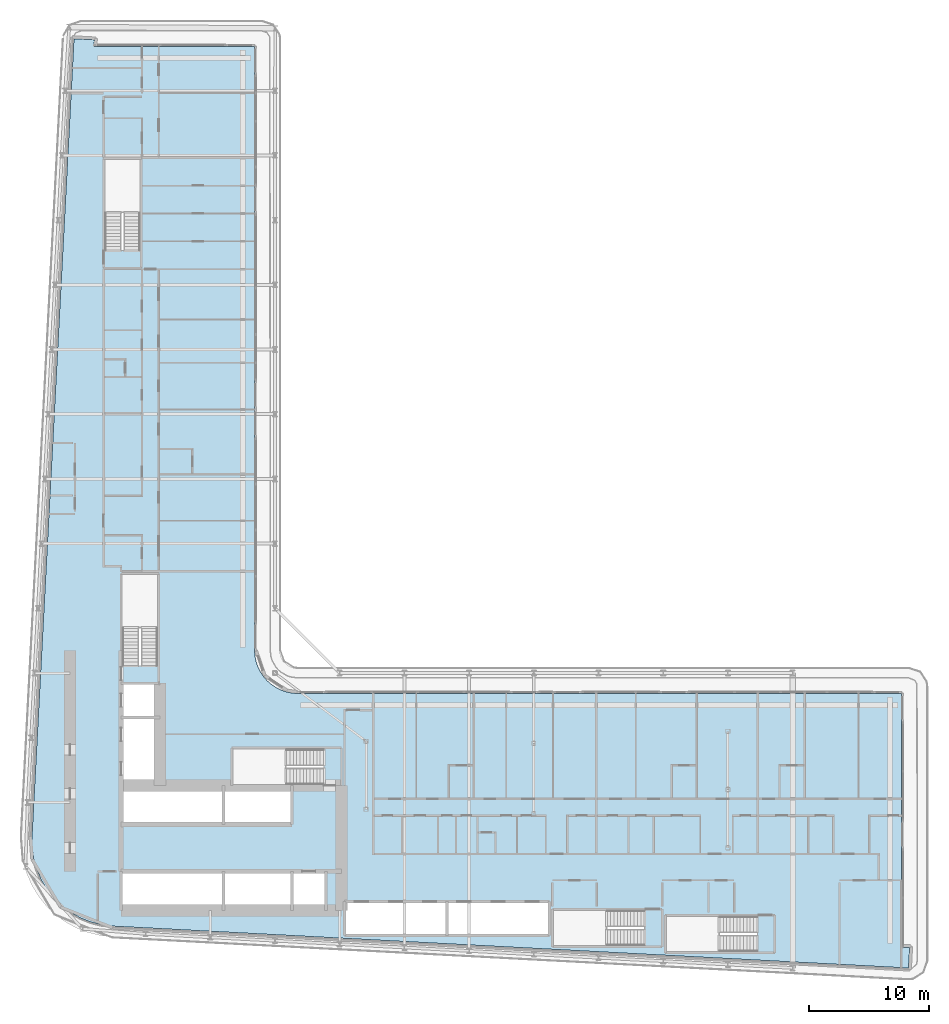
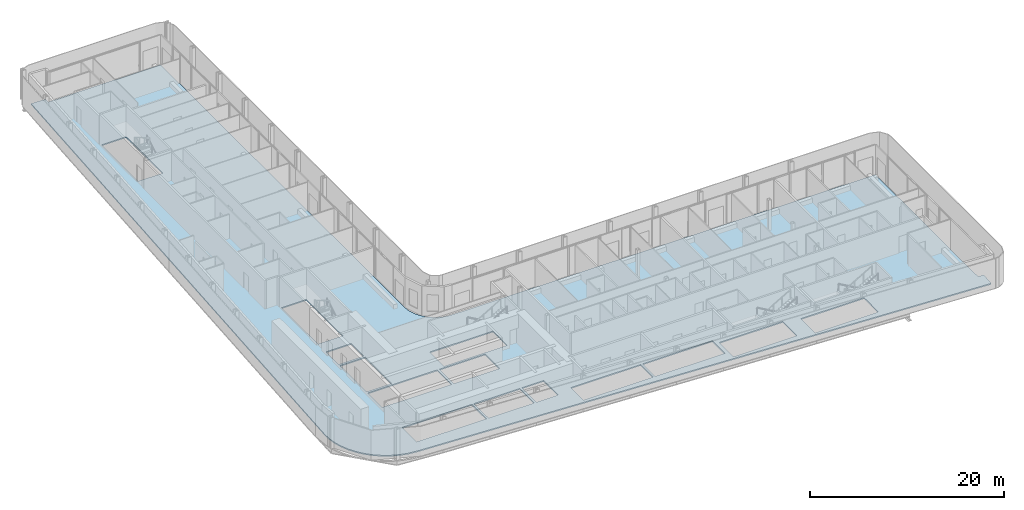
# One storey, part 11 of 29: 1 slab.
"""IFC4 building model written with IfcOpenShell, lengths in metres."""

import ifcopenshell
import ifcopenshell.guid

model = None  # the IFC model being written
_history = None  # IfcOwnerHistory: only IFC2X3 demands one
_inside = {}  # id of a spatial element -> (the spatial element, [elements in it])
_under = {}  # id of a project, library or spatial element -> (it, [spatial elements below it])
_declared = {}  # id of a project -> (the project, [libraries it declares])
_typed = {}  # id of a type object -> (the type object, [elements of that type])
_made_of = {}  # id of a material, layer set ... -> (it, [elements and type objects made of it])


def new_model(schema):
    """Start an empty IFC model of exactly this schema.

    Asked for "IFC4X3", IfcOpenShell would pick the latest addendum, in which some entities
    have other attributes; the version numbers below select the first issue.
    IFC2X3 requires an IfcOwnerHistory on every rooted entity: one is made here for all.
    """
    global model, _history
    if schema == "IFC4X3":
        model = ifcopenshell.file(schema_version=(4, 3, 0, 0))
    else:
        model = ifcopenshell.file(schema=schema)
    _inside.clear()
    _under.clear()
    _declared.clear()
    _typed.clear()
    _made_of.clear()
    _history = None
    if model.schema == "IFC2X3":
        org = make("IfcOrganization", Name="unknown")
        user = make(
            "IfcPersonAndOrganization",
            ThePerson=make("IfcPerson", FamilyName="unknown"),
            TheOrganization=org,
        )
        app = make(
            "IfcApplication",
            ApplicationDeveloper=org,
            Version="unknown",
            ApplicationFullName="unknown",
            ApplicationIdentifier="unknown",
        )
        _history = make(
            "IfcOwnerHistory",
            OwningUser=user,
            OwningApplication=app,
            ChangeAction="ADDED",
            CreationDate=0,
        )
    return model


def make(cls, **values):
    """One entity of the class cls with the attributes given. An attribute that is None is left unset."""
    return model.create_entity(
        cls, **{name: value for name, value in values.items() if value is not None}
    )


def rooted(cls, **values):
    """An entity with a GlobalId (a new one), such as an element, a storey or a relation."""
    return make(cls, GlobalId=ifcopenshell.guid.new(), OwnerHistory=_history, **values)


def si_unit(unit_type, name, prefix=None):
    """IfcSIUnit, for example si_unit("LENGTHUNIT", "METRE", prefix="MILLI")."""
    return make("IfcSIUnit", UnitType=unit_type, Prefix=prefix, Name=name)


def assignment(units):
    """IfcUnitAssignment: the units of a project."""
    return None if units is None else make("IfcUnitAssignment", Units=units)


def point(xyz):
    """IfcCartesianPoint."""
    return None if xyz is None else make("IfcCartesianPoint", Coordinates=xyz)


def direction(xyz):
    """IfcDirection."""
    return None if xyz is None else make("IfcDirection", DirectionRatios=xyz)


def frame(location, z_axis=None, x_axis=None):
    """IfcAxis2Placement3D, a coordinate frame: its origin and axes. An axis left out is left unset."""
    return make(
        "IfcAxis2Placement3D",
        Location=point(location),
        Axis=direction(z_axis),
        RefDirection=direction(x_axis),
    )


def origin():
    """The frame at (0, 0, 0) with its axes left unset."""
    return frame((0.0, 0.0, 0.0))


def place(relative_to, where):
    """IfcLocalPlacement: puts the frame where relative to a parent placement (None: the world)."""
    return make(
        "IfcLocalPlacement", PlacementRelTo=relative_to, RelativePlacement=where
    )


def context(
    kind, dimensions, precision=None, world=None, true_north=None, identifier=None
):
    """IfcGeometricRepresentationContext, for example the 3D "Model" context."""
    return make(
        "IfcGeometricRepresentationContext",
        ContextIdentifier=identifier,
        ContextType=kind,
        CoordinateSpaceDimension=dimensions,
        Precision=precision,
        WorldCoordinateSystem=world,
        TrueNorth=true_north,
    )


def subcontext(parent, identifier, kind, view, scale=None):
    """IfcGeometricRepresentationSubContext, for example "Body" below "Model"."""
    return make(
        "IfcGeometricRepresentationSubContext",
        ContextIdentifier=identifier,
        ContextType=kind,
        ParentContext=parent,
        TargetScale=scale,
        TargetView=view,
    )


def project(units=None, contexts=None):
    """IfcProject with its units and contexts."""
    return rooted(
        "IfcProject",
        Name="project",
        RepresentationContexts=contexts,
        UnitsInContext=assignment(units),
    )


def spatial(cls, under=None, at=None, **own):
    """A site, building, storey or space (cls), placed at a placement, below another one or the project."""
    s = rooted(cls, ObjectPlacement=at, **own)
    if under is not None:
        _under.setdefault(under.id(), (under, []))[1].append(s)
    return s


def polyline(points):
    """IfcPolyline through the points."""
    return make("IfcPolyline", Points=[point(p) for p in points])


def outline(outer, holes=None, kind="AREA"):
    """IfcArbitraryClosedProfileDef: a profile drawn as a closed curve; with holes, ...WithVoids."""
    if holes is None:
        return make("IfcArbitraryClosedProfileDef", ProfileType=kind, OuterCurve=outer)
    return make(
        "IfcArbitraryProfileDefWithVoids",
        ProfileType=kind,
        OuterCurve=outer,
        InnerCurves=holes,
    )


def extrude(swept, where, along, depth):
    """IfcExtrudedAreaSolid: the profile swept, set in the frame where, extruded along a direction by depth."""
    return make(
        "IfcExtrudedAreaSolid",
        SweptArea=swept,
        Position=where,
        ExtrudedDirection=direction(along),
        Depth=depth,
    )


def shape(context_of_items, identifier, shape_type, items):
    """IfcShapeRepresentation: the items that make up one representation, for example the "Body"."""
    return make(
        "IfcShapeRepresentation",
        ContextOfItems=context_of_items,
        RepresentationIdentifier=identifier,
        RepresentationType=shape_type,
        Items=items,
    )


def material(Name=None, Category=None):
    """IfcMaterial."""
    return make("IfcMaterial", Name=Name, Category=Category)


def layer(
    of_material, thickness, ventilated=None, Name=None, Category=None, Priority=None
):
    """IfcMaterialLayer: one layer of a wall or slab, of a material (None: an air gap)."""
    return make(
        "IfcMaterialLayer",
        Material=of_material,
        LayerThickness=thickness,
        IsVentilated=ventilated,
        Name=Name,
        Category=Category,
        Priority=Priority,
    )


def layer_set(layers, Name=None):
    """IfcMaterialLayerSet."""
    return make("IfcMaterialLayerSet", MaterialLayers=layers, LayerSetName=Name)


def made_of(thing, what):
    """Note that an element or type object is made of a material, layer set ...; save() writes the relation."""
    if what is not None:
        _made_of.setdefault(what.id(), (what, []))[1].append(thing)
    return thing


def type_object(cls, material=None, **own):
    """A type object (cls), such as IfcWallType, which elements share."""
    return made_of(rooted(cls, **own), material)


def element(
    cls,
    number,
    at=None,
    inside=None,
    cuts=None,
    type_object=None,
    material=None,
    context=None,
    identifier="Body",
    shape_type=None,
    held_by="IfcProductDefinitionShape",
    body=None,
    shapes=None,
    **own,
):
    """One element of the class cls, such as IfcWall. Its Tag is "e" and its number.

    at: its placement. inside: the storey or other place that contains it. cuts: it is an
    opening in that element (IfcRelVoidsElement). A single representation is given by context,
    identifier, shape_type and body (its items); several are given by shapes. held_by: the class
    of the entity that holds the representations. save() writes the other relations.
    """
    e = rooted(cls, Tag="e%d" % number, ObjectPlacement=at, **own)
    if body is not None:
        shapes = [shape(context, identifier, shape_type, body)]
    if shapes is not None:
        e.Representation = make(held_by, Representations=shapes)
    if inside is not None:
        _inside.setdefault(inside.id(), (inside, []))[1].append(e)
    if cuts is not None:
        rooted(
            "IfcRelVoidsElement", RelatingBuildingElement=cuts, RelatedOpeningElement=e
        )
    if type_object is not None:
        _typed.setdefault(type_object.id(), (type_object, []))[1].append(e)
    return made_of(e, material)


def aggregate(whole, parts):
    """IfcRelAggregates: a whole, such as a stair, and the parts it consists of."""
    return rooted("IfcRelAggregates", RelatingObject=whole, RelatedObjects=parts)


def save(model, path):
    """Write the relations noted so far, then the file.

    IfcRelAggregates (storeys below a building ...), IfcRelContainedInSpatialStructure (elements
    in a storey), IfcRelDefinesByType, IfcRelAssociatesMaterial and IfcRelDeclares: one each for
    every whole, place, type object, material and project.
    """
    for whole, parts in _under.values():
        aggregate(whole, parts)
    for where, things in _inside.values():
        rooted(
            "IfcRelContainedInSpatialStructure",
            RelatedElements=things,
            RelatingStructure=where,
        )
    for kind, things in _typed.values():
        rooted("IfcRelDefinesByType", RelatedObjects=things, RelatingType=kind)
    for what, things in _made_of.values():
        rooted("IfcRelAssociatesMaterial", RelatedObjects=things, RelatingMaterial=what)
    for by, libraries in _declared.values():
        rooted("IfcRelDeclares", RelatingContext=by, RelatedDefinitions=libraries)
    model.write(path)


model = new_model("IFC4")

# Units and contexts
model_context = context("Model", 3, precision=1e-05, world=origin(), true_north=direction((0.0, 1.0)))
body_context = subcontext(model_context, "Body", "Model", "MODEL_VIEW")
ifc_project = project(units=[si_unit("LENGTHUNIT", "METRE"), si_unit("AREAUNIT", "SQUARE_METRE"), si_unit("VOLUMEUNIT", "CUBIC_METRE"), si_unit("PLANEANGLEUNIT", "RADIAN"), si_unit("MASSUNIT", "GRAM", prefix="KILO")], contexts=[model_context])

# Site, building, storey
site_placement = place(None, origin())
site = spatial("IfcSite", under=ifc_project, at=site_placement, CompositionType="ELEMENT")
building_placement = place(site_placement, origin())
building = spatial("IfcBuilding", under=site, at=building_placement, Name="Kheshtan School and Residences Tower", CompositionType="ELEMENT")
storey_placement = place(building_placement, frame((0.0, 0.0, 61.699951171875)))
storey = spatial("IfcBuildingStorey", under=building, at=storey_placement, Name="L14", CompositionType="ELEMENT", Elevation=61.699951171875)

# Slab
ifc_material = material(Name="Concrete C40/50", Category="concrete")
ifc_layer = layer(ifc_material, 0.14990234375)
ifc_layer_set = layer_set([ifc_layer], Name="Floor slab 150 Concrete C40/50")
slab_type = type_object("IfcSlabType", Name="Floor slab 150 Concrete C40/50", PredefinedType="FLOOR", material=ifc_layer_set)
slab_placement = place(storey_placement, frame((0.0, 0.0, -0.14990234375)))
element("IfcSlab", 1, at=slab_placement, inside=storey, type_object=slab_type, Name="Floor slab L14", PredefinedType="FLOOR", context=body_context, shape_type="SweptSolid", body=[
    extrude(outline(polyline([(27.718017578125, 29.200927734375), (27.466064453125, 30.093017578125), (27.466064453125, 30.093994140625), (27.3330078125, 31.013916015625), (27.320068359375, 31.965087890625), (27.320068359375, 31.970947265625), (30.822021484375, 98.5009765625), (30.822998046875, 98.508056640625), (30.825927734375, 98.531005859375), (30.825927734375, 98.531982421875), (30.826904296875, 98.531982421875), (31.422119140625, 98.5), (31.423095703125, 98.5), (31.423095703125, 98.4990234375), (31.423095703125, 98.4951171875), (31.423095703125, 98.493896484375), (31.424072265625, 98.493896484375), (31.424072265625, 98.492919921875), (31.425048828125, 98.492919921875), (31.426025390625, 98.492919921875), (31.426025390625, 98.493896484375), (31.427978515625, 98.49609375), (31.428955078125, 98.4970703125), (31.429931640625, 98.498046875), (31.430908203125, 98.498046875), (31.430908203125, 98.4990234375), (31.431884765625, 98.4990234375), (31.431884765625, 98.5), (31.43505859375, 98.5009765625), (31.43603515625, 98.501953125), (31.43896484375, 98.501953125), (31.43994140625, 98.501953125), (31.43994140625, 98.5029296875), (31.44091796875, 98.5029296875), (31.446044921875, 98.5029296875), (32.5009765625, 98.447021484375), (32.50390625, 98.447021484375), (32.5048828125, 98.447021484375), (32.5048828125, 98.446044921875), (32.506103515625, 98.446044921875), (32.510009765625, 98.446044921875), (32.510009765625, 98.445068359375), (32.510986328125, 98.445068359375), (32.510986328125, 98.444091796875), (32.511962890625, 98.444091796875), (32.511962890625, 98.443115234375), (32.512939453125, 98.443115234375), (32.513916015625, 98.443115234375), (32.513916015625, 98.44189453125), (32.514892578125, 98.44189453125), (32.51611328125, 98.44189453125), (32.51904296875, 98.43896484375), (32.51904296875, 98.43798828125), (32.51904296875, 98.43701171875), (32.52001953125, 98.43701171875), (32.52001953125, 98.43603515625), (32.52099609375, 98.43603515625), (32.52099609375, 98.43408203125), (32.52099609375, 98.43310546875), (32.52197265625, 98.43310546875), (32.52197265625, 98.431884765625), (32.52294921875, 98.431884765625), (32.52294921875, 98.430908203125), (32.52294921875, 98.428955078125), (32.52294921875, 98.427978515625), (32.52392578125, 98.427978515625), (32.52392578125, 98.427001953125), (32.52392578125, 98.422119140625), (32.4970703125, 97.9208984375), (32.4970703125, 97.91796875), (32.4970703125, 97.9169921875), (32.49609375, 97.9169921875), (32.49609375, 97.916015625), (32.49609375, 97.912109375), (32.4951171875, 97.910888671875), (32.4951171875, 97.909912109375), (32.493896484375, 97.909912109375), (32.493896484375, 97.908935546875), (32.492919921875, 97.908935546875), (32.492919921875, 97.907958984375), (32.489013671875, 97.904052734375), (32.488037109375, 97.904052734375), (32.488037109375, 97.903076171875), (32.488037109375, 97.902099609375), (32.488037109375, 97.90087890625), (32.489013671875, 97.90087890625), (32.489013671875, 97.89990234375), (32.489990234375, 97.89990234375), (45.85498046875, 97.89990234375), (45.864990234375, 97.89794921875), (45.865966796875, 97.89794921875), (45.868896484375, 97.89599609375), (45.8740234375, 97.89404296875), (45.8779296875, 97.89208984375), (45.881103515625, 97.889892578125), (45.881103515625, 97.888916015625), (45.882080078125, 97.888916015625), (45.882080078125, 97.887939453125), (45.883056640625, 97.887939453125), (45.884033203125, 97.885009765625), (45.885009765625, 97.885009765625), (45.885009765625, 97.884033203125), (45.887939453125, 97.883056640625), (45.887939453125, 97.882080078125), (45.888916015625, 97.882080078125), (45.888916015625, 97.881103515625), (45.889892578125, 97.881103515625), (45.89208984375, 97.8779296875), (45.89404296875, 97.8740234375), (45.89599609375, 97.868896484375), (45.89794921875, 97.865966796875), (45.89794921875, 97.864990234375), (45.89990234375, 97.85498046875), (45.89990234375, 47.429931640625), (45.927001953125, 47.030029296875), (46.01806640625, 46.570068359375), (46.01806640625, 46.569091796875), (46.169921875, 46.1201171875), (46.37890625, 45.697021484375), (46.638916015625, 45.30810546875), (46.949951171875, 44.950927734375), (46.950927734375, 44.949951171875), (47.30810546875, 44.638916015625), (47.697021484375, 44.37890625), (48.1201171875, 44.169921875), (48.569091796875, 44.01806640625), (48.570068359375, 44.01806640625), (49.030029296875, 43.927001953125), (49.429931640625, 43.89990234375), (99.85498046875, 43.89990234375), (99.864990234375, 43.89794921875), (99.865966796875, 43.89794921875), (99.868896484375, 43.89599609375), (99.8740234375, 43.89404296875), (99.8779296875, 43.89208984375), (99.881103515625, 43.889892578125), (99.881103515625, 43.888916015625), (99.882080078125, 43.888916015625), (99.882080078125, 43.887939453125), (99.883056640625, 43.887939453125), (99.884033203125, 43.885009765625), (99.885009765625, 43.885009765625), (99.885009765625, 43.884033203125), (99.887939453125, 43.883056640625), (99.887939453125, 43.882080078125), (99.888916015625, 43.882080078125), (99.888916015625, 43.881103515625), (99.889892578125, 43.881103515625), (99.89208984375, 43.8779296875), (99.89404296875, 43.8740234375), (99.89599609375, 43.868896484375), (99.89794921875, 43.865966796875), (99.89794921875, 43.864990234375), (99.89990234375, 43.85498046875), (99.89990234375, 22.708984375), (99.89990234375, 22.7080078125), (99.90087890625, 22.7080078125), (99.90087890625, 22.70703125), (99.902099609375, 22.70703125), (99.903076171875, 22.70703125), (99.903076171875, 22.7080078125), (99.905029296875, 22.7099609375), (99.906982421875, 22.7119140625), (99.907958984375, 22.7119140625), (99.907958984375, 22.712890625), (99.908935546875, 22.712890625), (99.908935546875, 22.714111328125), (99.909912109375, 22.714111328125), (99.912109375, 22.715087890625), (99.9130859375, 22.716064453125), (99.916015625, 22.716064453125), (99.9169921875, 22.716064453125), (99.9169921875, 22.717041015625), (99.91796875, 22.717041015625), (99.923095703125, 22.717041015625), (100.5380859375, 22.68408203125), (100.541015625, 22.68408203125), (100.5419921875, 22.68408203125), (100.5419921875, 22.68310546875), (100.54296875, 22.68310546875), (100.547119140625, 22.68310546875), (100.547119140625, 22.681884765625), (100.548095703125, 22.681884765625), (100.548095703125, 22.680908203125), (100.549072265625, 22.680908203125), (100.549072265625, 22.679931640625), (100.550048828125, 22.679931640625), (100.551025390625, 22.679931640625), (100.551025390625, 22.678955078125), (100.552001953125, 22.678955078125), (100.552978515625, 22.678955078125), (100.552978515625, 22.677978515625), (100.554931640625, 22.676025390625), (100.555908203125, 22.676025390625), (100.555908203125, 22.675048828125), (100.555908203125, 22.674072265625), (100.556884765625, 22.674072265625), (100.556884765625, 22.673095703125), (100.55810546875, 22.673095703125), (100.55810546875, 22.6708984375), (100.55810546875, 22.669921875), (100.55908203125, 22.669921875), (100.55908203125, 22.6689453125), (100.56005859375, 22.6689453125), (100.56005859375, 22.66796875), (100.56005859375, 22.666015625), (100.56005859375, 22.6650390625), (100.56103515625, 22.6650390625), (100.56103515625, 22.6640625), (100.56103515625, 22.658935546875), (100.5048828125, 21.60205078125), (100.5048828125, 21.59912109375), (100.5048828125, 21.597900390625), (100.50390625, 21.597900390625), (100.50390625, 21.596923828125), (100.50390625, 21.593017578125), (100.5029296875, 21.592041015625), (100.5029296875, 21.591064453125), (100.501953125, 21.591064453125), (100.501953125, 21.590087890625), (100.5009765625, 21.590087890625), (100.5009765625, 21.589111328125), (100.5, 21.587890625), (100.498046875, 21.5859375), (100.4970703125, 21.5849609375), (100.49609375, 21.5849609375), (100.49609375, 21.583984375), (100.49609375, 21.5830078125), (100.49609375, 21.58203125), (100.4970703125, 21.58203125), (100.4970703125, 21.5810546875), (100.498046875, 21.5810546875), (100.4990234375, 21.5810546875), (100.5, 21.5810546875), (100.5, 21.580078125), (100.468017578125, 20.985107421875), (100.468017578125, 20.98388671875), (100.467041015625, 20.98388671875), (100.443115234375, 20.98291015625), (100.43798828125, 20.98291015625), (34.056884765625, 24.47802734375), (33.114990234375, 24.590087890625), (32.215087890625, 24.819091796875), (32.214111328125, 24.819091796875), (31.35205078125, 25.1630859375), (30.541015625, 25.616943359375), (29.799072265625, 26.1708984375), (29.799072265625, 26.172119140625), (29.798095703125, 26.172119140625), (29.134033203125, 26.820068359375), (29.134033203125, 26.821044921875), (29.133056640625, 26.821044921875), (28.55908203125, 27.550048828125), (28.0849609375, 28.345947265625), (27.718017578125, 29.200927734375)]), holes=[polyline([(99.89990234375, 21.5869140625), (99.89990234375, 21.5830078125), (99.89990234375, 21.58203125), (99.90087890625, 21.58203125), (99.90087890625, 21.5810546875), (99.902099609375, 21.5810546875), (99.906005859375, 21.5810546875), (99.906982421875, 21.5810546875), (99.906982421875, 21.58203125), (99.907958984375, 21.58203125), (99.907958984375, 21.5830078125), (99.907958984375, 21.583984375), (99.906982421875, 21.583984375), (99.905029296875, 21.5859375), (99.904052734375, 21.5869140625), (99.903076171875, 21.587890625), (99.903076171875, 21.589111328125), (99.902099609375, 21.589111328125), (99.90087890625, 21.589111328125), (99.90087890625, 21.587890625), (99.89990234375, 21.587890625), (99.89990234375, 21.5869140625)]), polyline([(31.423095703125, 97.906005859375), (31.423095703125, 97.902099609375), (31.423095703125, 97.90087890625), (31.424072265625, 97.90087890625), (31.424072265625, 97.89990234375), (31.425048828125, 97.89990234375), (31.428955078125, 97.89990234375), (31.429931640625, 97.89990234375), (31.429931640625, 97.90087890625), (31.430908203125, 97.90087890625), (31.430908203125, 97.902099609375), (31.430908203125, 97.903076171875), (31.429931640625, 97.903076171875), (31.428955078125, 97.904052734375), (31.427978515625, 97.905029296875), (31.427001953125, 97.906005859375), (31.426025390625, 97.906982421875), (31.426025390625, 97.907958984375), (31.425048828125, 97.907958984375), (31.424072265625, 97.907958984375), (31.424072265625, 97.906982421875), (31.423095703125, 97.906982421875), (31.423095703125, 97.906005859375)]), polyline([(34.875, 28.925048828125), (34.875, 25.925048828125), (43.175048828125, 25.925048828125), (43.175048828125, 28.925048828125), (34.875, 28.925048828125)]), polyline([(43.425048828125, 25.925048828125), (48.875, 25.925048828125), (48.875, 28.925048828125), (43.425048828125, 28.925048828125), (43.425048828125, 25.925048828125)]), polyline([(43.175048828125, 36.074951171875), (34.875, 36.074951171875), (34.875, 33.074951171875), (43.175048828125, 33.074951171875), (43.175048828125, 36.074951171875)]), polyline([(34.875, 41.77490234375), (34.875, 36.324951171875), (37.875, 36.324951171875), (37.875, 41.77490234375), (34.875, 41.77490234375)]), polyline([(34.875, 44.625), (34.875, 42.02490234375), (37.875, 42.02490234375), (37.875, 44.625), (34.875, 44.625)]), polyline([(37.800048828125, 46.25), (37.800048828125, 53.81005859375), (34.85009765625, 53.81005859375), (34.85009765625, 46.260009765625), (36.25, 46.260009765625), (36.25, 46.25), (37.800048828125, 46.25)]), polyline([(33.39990234375, 88.4599609375), (33.39990234375, 80.909912109375), (34.800048828125, 80.909912109375), (34.800048828125, 80.89990234375), (36.35009765625, 80.89990234375), (36.35009765625, 88.4599609375), (33.39990234375, 88.4599609375)]), polyline([(87.81005859375, 22.35009765625), (87.81005859375, 23.75), (87.820068359375, 23.75), (87.820068359375, 25.300048828125), (80.260009765625, 25.300048828125), (80.260009765625, 22.35009765625), (87.81005859375, 22.35009765625)]), polyline([(70.85009765625, 22.85009765625), (78.39990234375, 22.85009765625), (78.39990234375, 24.25), (78.409912109375, 24.25), (78.409912109375, 25.800048828125), (70.85009765625, 25.800048828125), (70.85009765625, 22.85009765625)]), polyline([(61.824951171875, 26.425048828125), (53.52490234375, 26.425048828125), (53.52490234375, 23.824951171875), (61.824951171875, 23.824951171875), (61.824951171875, 26.425048828125)]), polyline([(62.074951171875, 23.824951171875), (70.375, 23.824951171875), (70.375, 26.425048828125), (62.074951171875, 26.425048828125), (62.074951171875, 23.824951171875)]), polyline([(49.125, 28.925048828125), (49.125, 25.925048828125), (51.72509765625, 25.925048828125), (51.72509765625, 28.925048828125), (49.125, 28.925048828125)]), polyline([(43.425048828125, 33.074951171875), (48.875, 33.074951171875), (48.875, 36.074951171875), (43.425048828125, 36.074951171875), (43.425048828125, 33.074951171875)]), polyline([(51.64990234375, 39.25), (44.090087890625, 39.25), (44.090087890625, 36.300048828125), (51.639892578125, 36.300048828125), (51.639892578125, 37.699951171875), (51.64990234375, 37.699951171875), (51.64990234375, 39.25)])]), origin(), (0.0, 0.0, 1.0), 0.14990234375),
])

save(model, "model.ifc")
